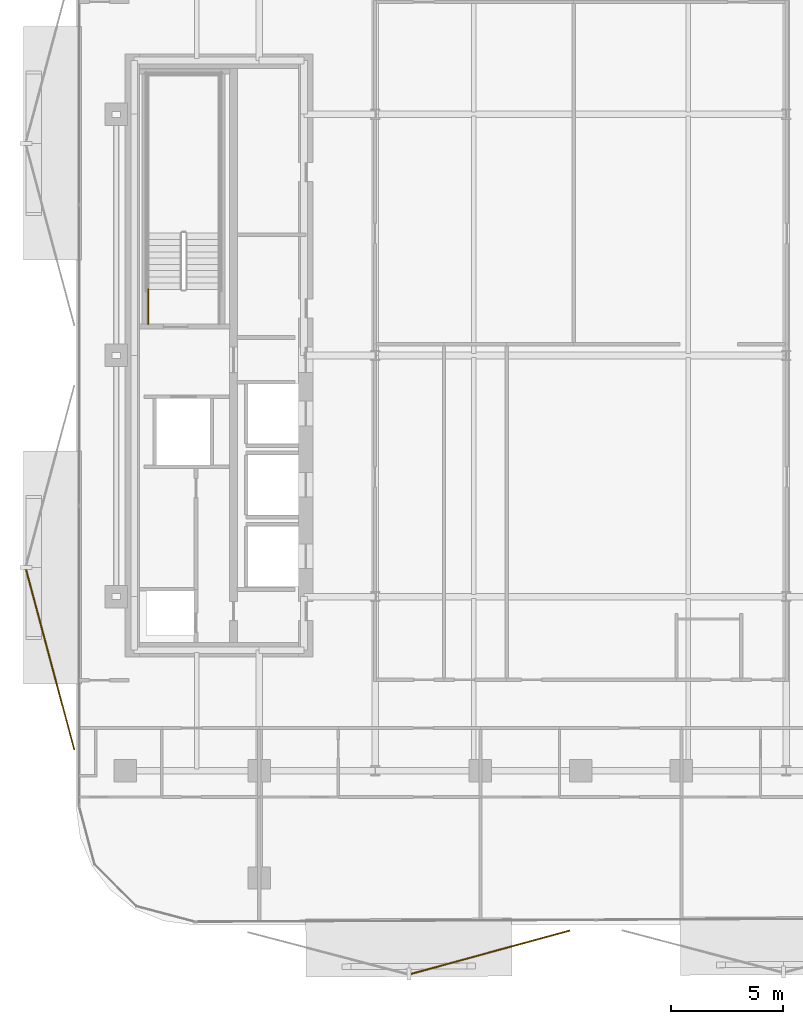
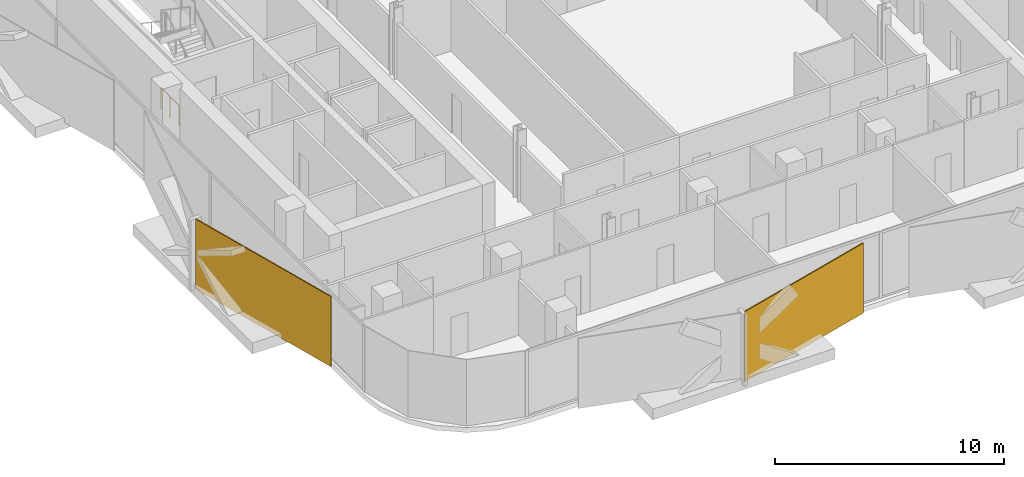
# One storey, part 13 of 17: 2 coverings, 1 railing.
"""IFC4 building model written with IfcOpenShell, lengths in metres."""

from ifc_helpers import new_model, si_unit, direction, frame, origin, origin_2d, place, context, subcontext, project, spatial, rectangle, circle, extrude, material, layer, layer_set, type_object, element, save


model = new_model("IFC4")

# Units and contexts
model_context = context("Model", 3, precision=1e-05, world=origin(), true_north=direction((0.0, 1.0)))
body_context = subcontext(model_context, "Body", "Model", "MODEL_VIEW")
ifc_project = project(units=[si_unit("LENGTHUNIT", "METRE"), si_unit("AREAUNIT", "SQUARE_METRE"), si_unit("VOLUMEUNIT", "CUBIC_METRE"), si_unit("PLANEANGLEUNIT", "RADIAN"), si_unit("MASSUNIT", "GRAM", prefix="KILO")], contexts=[model_context])

# Site, building, storey
site_placement = place(None, origin())
site = spatial("IfcSite", under=ifc_project, at=site_placement, CompositionType="ELEMENT")
building_placement = place(site_placement, origin())
building = spatial("IfcBuilding", under=site, at=building_placement, Name="Khairoan Windgate Tower", CompositionType="ELEMENT")
storey_placement = place(building_placement, frame((0.0, 0.0, 176.39990234375)))
storey = spatial("IfcBuildingStorey", under=building, at=storey_placement, Name="L40", CompositionType="ELEMENT", Elevation=176.39990234375)

# Coverings
ifc_material_1 = material(Name="Anodised Bronze Aluminium 6063-T6", Category="aluminium")
ifc_layer = layer(ifc_material_1, 0.054931640625, Name="Anodised Bronze Aluminium 6063-T6")
ifc_layer_set = layer_set([ifc_layer], Name="Anodised Bronze Aluminium 6063-T6")
covering_type = type_object("IfcCoveringType", Name="Perforated Bronze-Ceramic Folded Solar Screen Cladding BSC-1", PredefinedType="CLADDING", material=ifc_layer_set)
covering_1_placement = place(storey_placement, frame((-4.050048828125, -26.72021484375, -0.10009765625), z_axis=(0.0, 0.0, 1.0), x_axis=(-0.964649468762, -0.263536339841, 0.0)))
element("IfcCovering", 1, at=covering_1_placement, inside=storey, type_object=covering_type, Name="L40 Folded Bronze Solar Screen Facet 258L", PredefinedType="CLADDING", context=body_context, shape_type="SweptSolid", body=[
    extrude(rectangle(XDim=7.3759765625, YDim=0.054931640625, at=origin_2d()), origin(), (0.0, 0.0, 1.0), 3.739990234375),
])
covering_2_placement = place(storey_placement, frame((-23.7587890625, -13.62109375, -0.10009765625), z_axis=(0.0, 0.0, 1.0), x_axis=(-0.258819045103, 0.965925826289, 0.0)))
element("IfcCovering", 2, at=covering_2_placement, inside=storey, type_object=covering_type, Name="L40 Folded Bronze Solar Screen Facet 259L", PredefinedType="CLADDING", context=body_context, shape_type="SweptSolid", body=[
    extrude(rectangle(XDim=8.35595703125, YDim=0.054931640625, at=origin_2d()), origin(), (0.0, 0.0, 1.0), 3.739990234375),
])

# Railing
ifc_material_2 = material(Name="Steel S355", Category="steel")
railing_type = type_object("IfcRailingType", Name="Stairwell Safety Guardrail SGR-1150", PredefinedType="GUARDRAIL", material=ifc_material_2)
railing_placement = place(storey_placement, frame((-19.3701171875, 1.39990234375, 0.0)))
element("IfcRailing", 3, at=railing_placement, inside=storey, type_object=railing_type, Name="L40 ST2 stair guard 9", PredefinedType="GUARDRAIL", context=body_context, shape_type="SweptSolid", body=[
    extrude(circle(Radius=0.02392578125, at=origin_2d()), frame((0.0, 0.0, 1.1259765625), z_axis=(0.0, 1.0, 0.0), x_axis=(-1.0, 0.0, 0.0)), (0.0, 0.0, 1.0), 1.56005859375),
    extrude(circle(Radius=0.02099609375, at=origin_2d()), origin(), (0.0, 0.0, 1.0), 1.101806640625),
    extrude(circle(Radius=0.02099609375, at=origin_2d()), frame((0.0, 0.780029296875, 0.0)), (0.0, 0.0, 1.0), 1.101806640625),
    extrude(circle(Radius=0.02099609375, at=origin_2d()), frame((0.0, 1.56005859375, 0.0)), (0.0, 0.0, 1.0), 1.101806640625),
])

save(model, "model.ifc")
